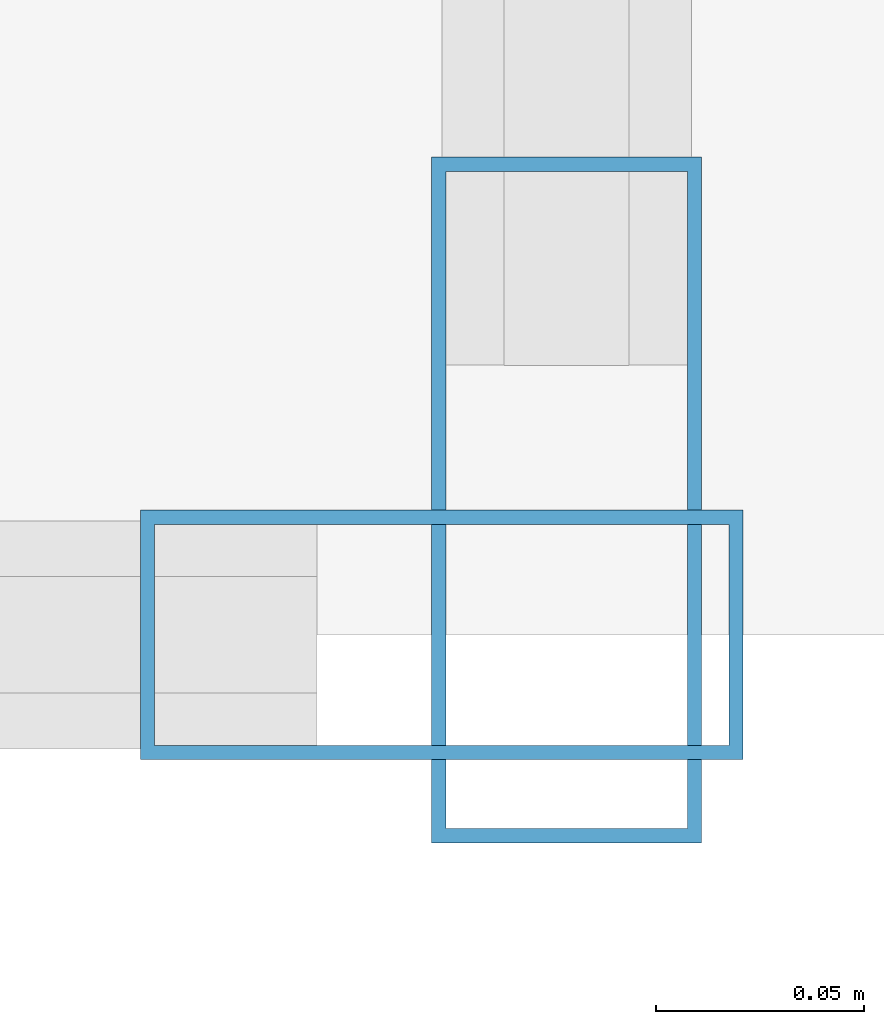
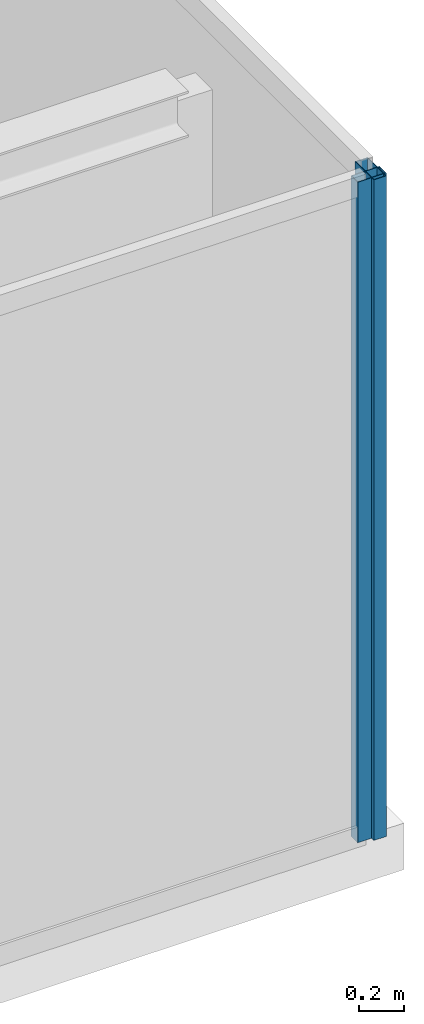
# One storey, part 17 of 30: 2 members, 2 elements without a shape of their own.
"""IFC4 building model written with IfcOpenShell, lengths in metres."""

from ifc_helpers import new_model, si_unit, direction, frame, origin, origin_2d, place, context, subcontext, project, spatial, hollow_rectangle, extrude, source, transform, mapped, material, layer, layer_set, material_profile, profile_set, type_object, type_shapes, element, aggregate, save


model = new_model("IFC4")

# Units and contexts
model_context = context("Model", 3, precision=1e-05, world=origin(), true_north=direction((0.0, 1.0)))
body_context = subcontext(model_context, "Body", "Model", "MODEL_VIEW")
ifc_project = project(units=[si_unit("LENGTHUNIT", "METRE"), si_unit("AREAUNIT", "SQUARE_METRE"), si_unit("VOLUMEUNIT", "CUBIC_METRE"), si_unit("PLANEANGLEUNIT", "RADIAN"), si_unit("MASSUNIT", "GRAM", prefix="KILO")], contexts=[model_context])

# Site, building, storey
site_placement = place(None, origin())
site = spatial("IfcSite", under=ifc_project, at=site_placement, CompositionType="ELEMENT")
building_placement = place(site_placement, origin())
building = spatial("IfcBuilding", under=site, at=building_placement, Name="Varnel Quay Broadcast Tower", CompositionType="ELEMENT")
storey_placement = place(building_placement, frame((0.0, 0.0, 207.39990234375)))
storey = spatial("IfcBuildingStorey", under=building, at=storey_placement, Name="L51", CompositionType="ELEMENT", Elevation=207.39990234375)

# Curtain wall, member
ifc_material = material(Name="Anodised Bronze Aluminium 6063-T6", Category="aluminium")
ifc_layer_1 = layer(ifc_material, 0.18994140625, Name="Anodised Bronze Aluminium 6063-T6")
ifc_layer_set_1 = layer_set([ifc_layer_1], Name="Anodised Bronze Aluminium 6063-T6")
curtain_wall_type_1 = type_object("IfcCurtainWallType", Name="CW_NotchCorner", PredefinedType="NOTDEFINED", material=ifc_layer_set_1)
curtain_wall_1_placement = place(storey_placement, origin())
curtain_wall_1 = element("IfcCurtainWall", 1, at=curtain_wall_1_placement, inside=storey, type_object=curtain_wall_type_1, Name="L51 SE Notch Curtain Wall", PredefinedType="NOTDEFINED")
ifc_material_profile_1 = material_profile(ifc_material, hollow_rectangle(XDim=0.06005859375, YDim=0.14501953125, WallThickness=0.00341796875, at=origin_2d()), Name="ALU60X145X3.5")
ifc_profile_set_1 = profile_set([ifc_material_profile_1], Name="Anodised Bronze Aluminium 6063-T6")
member_type_1 = type_object("IfcMemberType", Name="Mull_CWS-04", PredefinedType="MULLION", material=ifc_profile_set_1)
shared_shape_1 = source(origin(), body_context, "Body", "SweptSolid", [
    extrude(hollow_rectangle(XDim=0.06005859375, YDim=0.14501953125, WallThickness=0.00341796875, at=origin_2d()), origin(), (0.0, 0.0, 1.0), 3.550048828125),
])
type_shapes(member_type_1, [shared_shape_1])
member_1_placement = place(storey_placement, frame((58.320068359375, 13.60009765625, 0.0), z_axis=(0.0, 0.0, 1.0), x_axis=(0.0, 1.0, 0.0)))
member_1 = element("IfcMember", 2, at=member_1_placement, type_object=member_type_1, Name="CWS-04 mullion 2", PredefinedType="MULLION", context=body_context, shape_type="MappedRepresentation", body=[
    mapped(shared_shape_1, transform((0.0, 0.0, 0.0), x_axis=(1.0, 0.0, 0.0), y_axis=(0.0, 1.0, 0.0), z_axis=(0.0, 0.0, 1.0), scale=1.0)),
])
aggregate(curtain_wall_1, [member_1])

ifc_layer_2 = layer(ifc_material, 0.18994140625, Name="Anodised Bronze Aluminium 6063-T6")
ifc_layer_set_2 = layer_set([ifc_layer_2], Name="Anodised Bronze Aluminium 6063-T6")
curtain_wall_type_2 = type_object("IfcCurtainWallType", Name="CW_UpperTower", PredefinedType="NOTDEFINED", material=ifc_layer_set_2)
curtain_wall_2_placement = place(storey_placement, origin())
curtain_wall_2 = element("IfcCurtainWall", 3, at=curtain_wall_2_placement, inside=storey, type_object=curtain_wall_type_2, Name="L51 East Unitised Curtain Wall", PredefinedType="NOTDEFINED")
ifc_material_profile_2 = material_profile(ifc_material, hollow_rectangle(XDim=0.06494140625, YDim=0.1650390625, WallThickness=0.00341796875, at=origin_2d()), Name="ALU65X165X3.5")
ifc_profile_set_2 = profile_set([ifc_material_profile_2], Name="Anodised Bronze Aluminium 6063-T6")
member_type_2 = type_object("IfcMemberType", Name="Mull_CWS-03", PredefinedType="MULLION", material=ifc_profile_set_2)
shared_shape_2 = source(origin(), body_context, "Body", "SweptSolid", [
    extrude(hollow_rectangle(XDim=0.06494140625, YDim=0.1650390625, WallThickness=0.00341796875, at=origin_2d()), origin(), (0.0, 0.0, 1.0), 3.550048828125),
])
type_shapes(member_type_2, [shared_shape_2])
member_2_placement = place(storey_placement, frame((58.35009765625, 13.632568359375, 0.0), z_axis=(0.0, 0.0, 1.0), x_axis=(-1.0, 0.0, 0.0)))
member_2 = element("IfcMember", 4, at=member_2_placement, type_object=member_type_2, Name="CWS-03 mullion 1", PredefinedType="MULLION", context=body_context, shape_type="MappedRepresentation", body=[
    mapped(shared_shape_2, transform((0.0, 0.0, 0.0), x_axis=(1.0, 0.0, 0.0), y_axis=(0.0, 1.0, 0.0), z_axis=(0.0, 0.0, 1.0), scale=1.0)),
])
aggregate(curtain_wall_2, [member_2])

save(model, "model.ifc")
